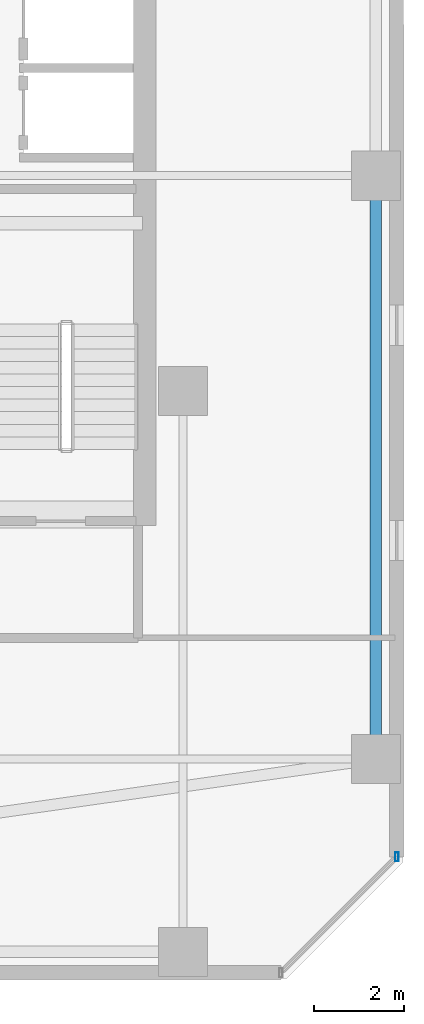
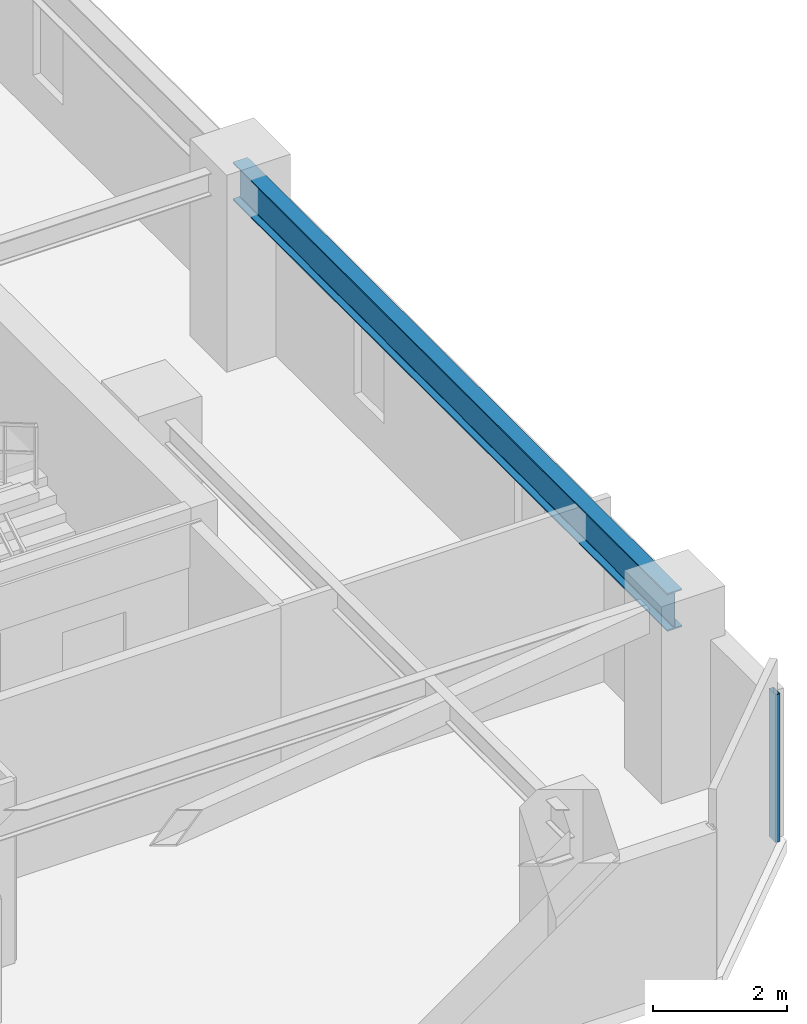
# One storey, part 15 of 32: 1 beam, 1 member, 1 element without a shape of its own.
"""IFC4 building model written with IfcOpenShell, lengths in metres."""

from ifc_helpers import new_model, si_unit, direction, frame, origin, origin_2d, place, context, subcontext, project, spatial, hollow_rectangle, i_section, extrude, material, material_profile, profile_set, type_object, element, aggregate, save


model = new_model("IFC4")

# Units and contexts
model_context = context("Model", 3, precision=1e-05, world=origin(), true_north=direction((0.0, 1.0)))
body_context = subcontext(model_context, "Body", "Model", "MODEL_VIEW")
ifc_project = project(units=[si_unit("LENGTHUNIT", "METRE"), si_unit("AREAUNIT", "SQUARE_METRE"), si_unit("VOLUMEUNIT", "CUBIC_METRE"), si_unit("PLANEANGLEUNIT", "RADIAN"), si_unit("MASSUNIT", "GRAM", prefix="KILO")], contexts=[model_context])

# Site, building, storey
site_placement = place(None, origin())
site = spatial("IfcSite", under=ifc_project, at=site_placement, CompositionType="ELEMENT")
building_placement = place(site_placement, origin())
building = spatial("IfcBuilding", under=site, at=building_placement, Name="Thornwick Lancets Civic Towers", CompositionType="ELEMENT")
storey_placement = place(building_placement, frame((0.0, 0.0, 182.10009765625)))
storey = spatial("IfcBuildingStorey", under=building, at=storey_placement, Name="L48", CompositionType="ELEMENT", Elevation=182.10009765625)

# Beam
ifc_material_1 = material(Name="Steel S355JR", Category="steel")
ifc_material_profile_1 = material_profile(ifc_material_1, i_section(OverallWidth=0.255859375, OverallDepth=0.69287109375, WebThickness=0.014404296875, FlangeThickness=0.023681640625, FilletRadius=0.01513671875, at=origin_2d()), Name="UKB 686x254x170")
ifc_profile_set_1 = profile_set([ifc_material_profile_1], Name="Steel S355JR")
beam_type = type_object("IfcBeamType", Name="BM_GIRD_686_170", PredefinedType="BEAM", material=ifc_profile_set_1)
beam_placement = place(storey_placement, frame((105.800048828125, 14.0, 3.013427734375), z_axis=(0.0, 1.0, 0.0), x_axis=(-1.0, 0.0, 0.0)))
element("IfcBeam", 1, at=beam_placement, inside=storey, type_object=beam_type, Name="BM-SPINE-L48-B-0-1", PredefinedType="BEAM", context=body_context, shape_type="SweptSolid", body=[
    extrude(i_section(OverallWidth=0.255859375, OverallDepth=0.69287109375, WebThickness=0.014404296875, FlangeThickness=0.023681640625, FilletRadius=0.01513671875, at=origin_2d()), origin(), (0.0, 0.0, 1.0), 13.0),
])

# Curtain wall, member
ifc_material_2 = material(Name="Mid-zone chamfered-corner unitised glass curtain wall", Category="glass")
curtain_wall_type = type_object("IfcCurtainWallType", Name="CW_SYS_04", PredefinedType="NOTDEFINED", material=ifc_material_2)
curtain_wall_placement = place(storey_placement, origin())
curtain_wall = element("IfcCurtainWall", 2, at=curtain_wall_placement, inside=storey, type_object=curtain_wall_type, Name="L48 Curtain Wall CW-L48-B-E1", PredefinedType="NOTDEFINED")
ifc_material_3 = material(Name="Thermally broken bronze aluminium S355", Category="steel")
ifc_material_profile_2 = material_profile(ifc_material_3, hollow_rectangle(XDim=0.080078125, YDim=0.199951171875, WallThickness=0.006103515625, at=origin_2d()), Name="RHS 200x80x6")
ifc_profile_set_2 = profile_set([ifc_material_profile_2], Name="Thermally broken bronze aluminium S355")
member_type = type_object("IfcMemberType", Name="CW_MUL_200", PredefinedType="MULLION", material=ifc_profile_set_2)
member_placement = place(storey_placement, frame((106.2646484375, 11.818603515625, 0.0), z_axis=(0.0, 0.0, 1.0), x_axis=(1.0, 0.0, 0.0)))
member = element("IfcMember", 3, at=member_placement, type_object=member_type, Name="CW-L48-B-E1 Mullion 1", PredefinedType="MULLION", context=body_context, shape_type="SweptSolid", body=[
    extrude(hollow_rectangle(XDim=0.080078125, YDim=0.199951171875, WallThickness=0.006103515625, at=origin_2d()), origin(), (0.0, 0.0, 1.0), 2.699951171875),
])
aggregate(curtain_wall, [member])

save(model, "model.ifc")
